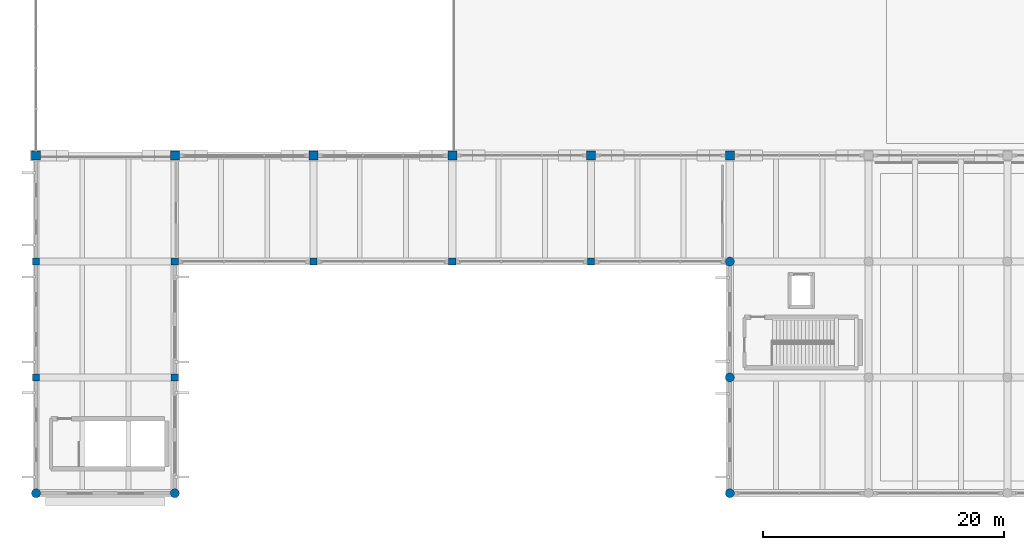
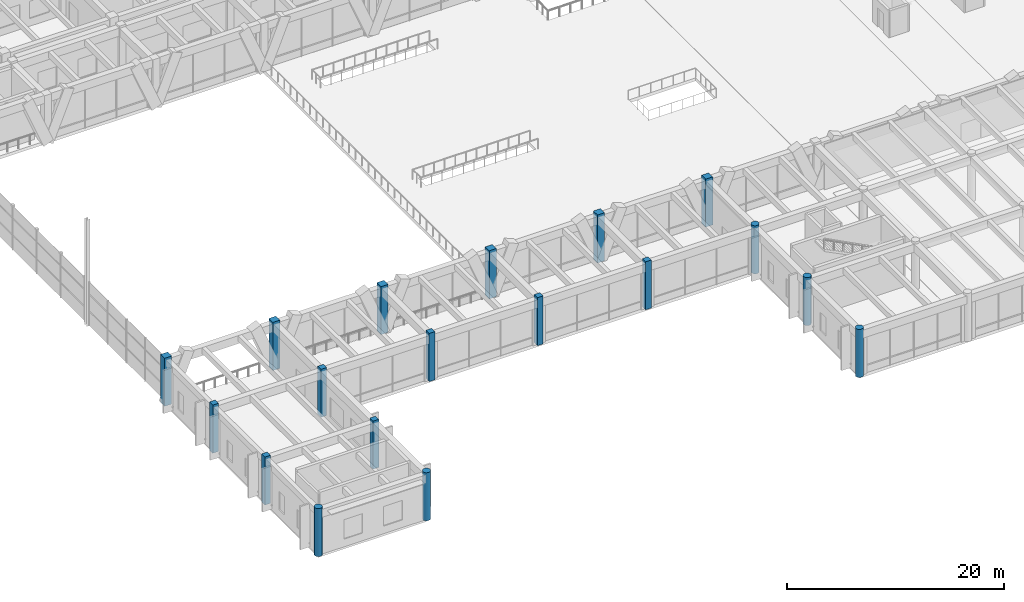
# One storey, part 1 of 148: 18 columns.
"""IFC4 building model written with IfcOpenShell, lengths in metres."""

from ifc_helpers import new_model, si_unit, direction, frame, origin, origin_2d, place, context, subcontext, project, spatial, rectangle, circle, extrude, material, material_profile, profile_set, type_object, element, save


model = new_model("IFC4")

# Units and contexts
model_context = context("Model", 3, precision=1e-05, world=origin(), true_north=direction((0.0, 1.0)))
body_context = subcontext(model_context, "Body", "Model", "MODEL_VIEW")
ifc_project = project(units=[si_unit("LENGTHUNIT", "METRE"), si_unit("AREAUNIT", "SQUARE_METRE"), si_unit("VOLUMEUNIT", "CUBIC_METRE"), si_unit("PLANEANGLEUNIT", "RADIAN"), si_unit("MASSUNIT", "GRAM", prefix="KILO")], contexts=[model_context])

# Site, building, storey
site_placement = place(None, origin())
site = spatial("IfcSite", under=ifc_project, at=site_placement, CompositionType="ELEMENT")
building_placement = place(site_placement, origin())
building = spatial("IfcBuilding", under=site, at=building_placement, Name="Ologun Quay Terminus", CompositionType="ELEMENT")
storey_placement = place(building_placement, frame((0.0, 0.0, 8.39990234375)))
storey = spatial("IfcBuildingStorey", under=building, at=storey_placement, Name="L02", CompositionType="ELEMENT", Elevation=8.39990234375)

# Columns
ifc_material_1 = material(Name="Concrete C40/50", Category="concrete")
ifc_material_profile_1 = material_profile(ifc_material_1, rectangle(XDim=0.60009765625, YDim=0.60009765625, at=origin_2d()), Name="RC 600x600")
ifc_profile_set_1 = profile_set([ifc_material_profile_1], Name="Concrete C40/50")
column_type_1 = type_object("IfcColumnType", Name="Podium Retail Column 600x600", PredefinedType="COLUMN", material=ifc_profile_set_1)
for number, where, z_axis, x_axis, name in (
    (1, (0.0, 17.60009765625, 0.0), (0.0, 0.0, 1.0), (1.0, 0.0, 0.0), "C7 Column 1/C L02"),
    (2, (0.0, 27.199951171875, 0.0), (0.0, 0.0, 1.0), (1.0, 0.0, 0.0), "C7 Column 1/D L02"),
    (3, (11.5, 17.60009765625, 0.0), (0.0, 0.0, 1.0), (1.0, 0.0, 0.0), "C7 Column 2/C L02"),
    (4, (11.5, 27.199951171875, 0.0), (0.0, 0.0, 1.0), (1.0, 0.0, 0.0), "C7 Column 2/D L02"),
    (5, (23.0, 27.199951171875, 0.0), (0.0, 0.0, 1.0), (1.0, 0.0, 0.0), "C7 Column 3/D L02"),
    (6, (34.5, 27.199951171875, 0.0), (0.0, 0.0, 1.0), (1.0, 0.0, 0.0), "C7 Column 4/D L02"),
    (7, (46.0, 27.199951171875, 0.0), (0.0, 0.0, 1.0), (1.0, 0.0, 0.0), "C7 Column 5/D L02"),
):
    element("IfcColumn", number, at=place(storey_placement, frame(where, z_axis=z_axis, x_axis=x_axis)), inside=storey, type_object=column_type_1, Name=name, PredefinedType="COLUMN", context=body_context, shape_type="SweptSolid", body=[
        extrude(rectangle(XDim=0.60009765625, YDim=0.60009765625, at=origin_2d()), origin(), (0.0, 0.0, 1.0), 5.400146484375),
    ])
ifc_material_2 = material(Name="Concrete C40/50", Category="concrete")
ifc_material_profile_2 = material_profile(ifc_material_2, circle(Radius=0.375, at=origin_2d()), Name="RC D750")
ifc_profile_set_2 = profile_set([ifc_material_profile_2], Name="Concrete C40/50")
column_type_2 = type_object("IfcColumnType", Name="Promenade Colonnade Circular Column D750", PredefinedType="COLUMN", material=ifc_profile_set_2)
for number, where, z_axis, x_axis, name in (
    (8, (0.0, 8.0, 0.0), (0.0, 0.0, 1.0), (1.0, 0.0, 0.0), "C10 Column 1/B L02"),
    (9, (11.5, 8.0, 0.0), (0.0, 0.0, 1.0), (1.0, 0.0, 0.0), "C10 Column 2/B L02"),
    (10, (57.5, 8.0, 0.0), (0.0, 0.0, 1.0), (1.0, 0.0, 0.0), "C10 Column 6/B L02"),
    (11, (57.5, 17.60009765625, 0.0), (0.0, 0.0, 1.0), (1.0, 0.0, 0.0), "C10 Column 6/C L02"),
    (12, (57.5, 27.199951171875, 0.0), (0.0, 0.0, 1.0), (1.0, 0.0, 0.0), "C10 Column 6/D L02"),
):
    element("IfcColumn", number, at=place(storey_placement, frame(where, z_axis=z_axis, x_axis=x_axis)), inside=storey, type_object=column_type_2, Name=name, PredefinedType="COLUMN", context=body_context, shape_type="SweptSolid", body=[
        extrude(circle(Radius=0.375, at=origin_2d()), origin(), (0.0, 0.0, 1.0), 5.400146484375),
    ])
ifc_material_3 = material(Name="Concrete C45/55", Category="concrete")
ifc_material_profile_3 = material_profile(ifc_material_3, rectangle(XDim=0.75, YDim=0.75, at=origin_2d()), Name="RC 750x750")
ifc_profile_set_3 = profile_set([ifc_material_profile_3], Name="Concrete C45/55")
column_type_3 = type_object("IfcColumnType", Name="Station Arch Pier Stem 750x750", PredefinedType="COLUMN", material=ifc_profile_set_3)
for number, where, z_axis, x_axis, name in (
    (13, (0.0, 36.0, 0.0), (0.0, 0.0, 1.0), (1.0, 0.0, 0.0), "C5 Column 1/E L02"),
    (14, (11.5, 36.0, 0.0), (0.0, 0.0, 1.0), (1.0, 0.0, 0.0), "C5 Column 2/E L02"),
    (15, (23.0, 36.0, 0.0), (0.0, 0.0, 1.0), (1.0, 0.0, 0.0), "C5 Column 3/E L02"),
    (16, (34.5, 36.0, 0.0), (0.0, 0.0, 1.0), (1.0, 0.0, 0.0), "C5 Column 4/E L02"),
    (17, (46.0, 36.0, 0.0), (0.0, 0.0, 1.0), (1.0, 0.0, 0.0), "C5 Column 5/E L02"),
    (18, (57.5, 36.0, 0.0), (0.0, 0.0, 1.0), (1.0, 0.0, 0.0), "C5 Column 6/E L02"),
):
    element("IfcColumn", number, at=place(storey_placement, frame(where, z_axis=z_axis, x_axis=x_axis)), inside=storey, type_object=column_type_3, Name=name, PredefinedType="COLUMN", context=body_context, shape_type="SweptSolid", body=[
        extrude(rectangle(XDim=0.75, YDim=0.75, at=origin_2d()), origin(), (0.0, 0.0, 1.0), 5.400146484375),
    ])

save(model, "model.ifc")
